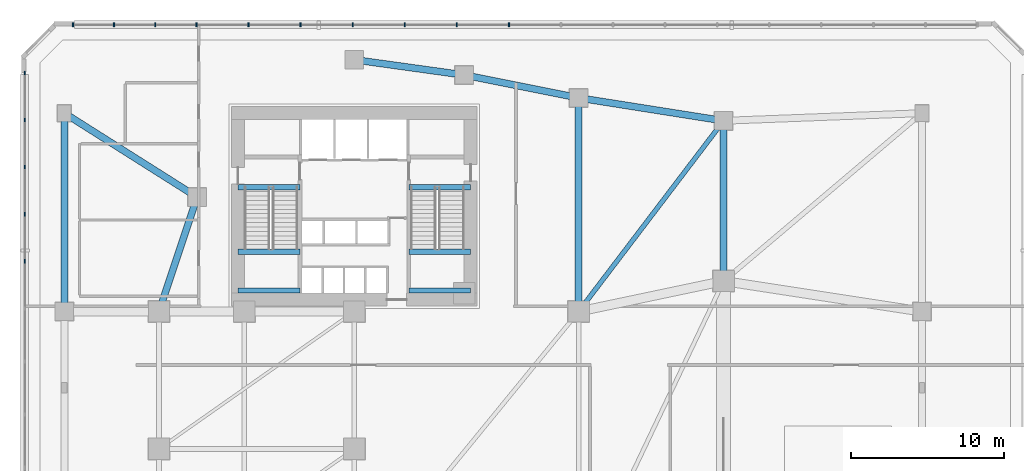
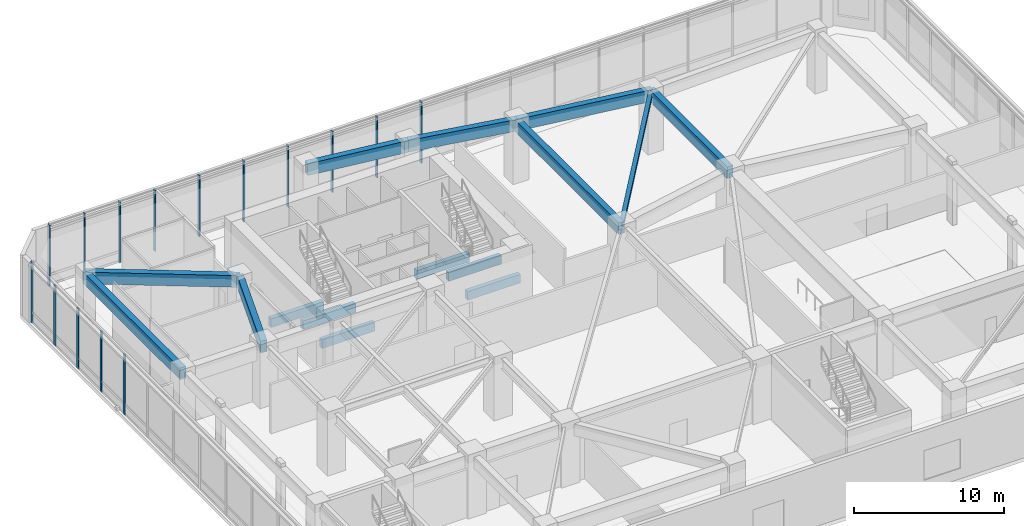
# One storey, part 5 of 18: 15 beams, 15 members, 2 elements without a shape of their own.
"""IFC4 building model written with IfcOpenShell, lengths in metres."""

from ifc_helpers import new_model, si_unit, direction, frame, origin, origin_2d, place, context, subcontext, project, spatial, rectangle, i_section, extrude, source, transform, mapped, material, material_profile, profile_set, type_object, element, aggregate, save


model = new_model("IFC4")

# Units and contexts
model_context = context("Model", 3, precision=1e-05, world=origin(), true_north=direction((0.0, 1.0)))
body_context = subcontext(model_context, "Body", "Model", "MODEL_VIEW")
ifc_project = project(units=[si_unit("LENGTHUNIT", "METRE"), si_unit("AREAUNIT", "SQUARE_METRE"), si_unit("VOLUMEUNIT", "CUBIC_METRE"), si_unit("PLANEANGLEUNIT", "RADIAN"), si_unit("MASSUNIT", "GRAM", prefix="KILO")], contexts=[model_context])

# Site, building, storey
site_placement = place(None, origin())
site = spatial("IfcSite", under=ifc_project, at=site_placement, CompositionType="ELEMENT")
building_placement = place(site_placement, origin())
building = spatial("IfcBuilding", under=site, at=building_placement, Name="Calvemar Wedge Station Tower", CompositionType="ELEMENT")
storey_placement = place(building_placement, frame((0.0, 0.0, 11.199951171875)))
storey = spatial("IfcBuildingStorey", under=building, at=storey_placement, Name="L03", CompositionType="ELEMENT", Elevation=11.199951171875)

# Beams
ifc_material_1 = material(Name="Concrete C70", Category="concrete")
ifc_material_profile_1 = material_profile(ifc_material_1, rectangle(XDim=0.35009765625, YDim=0.699951171875, at=origin_2d()), Name="RC350x700")
ifc_profile_set_1 = profile_set([ifc_material_profile_1], Name="Concrete C70")
beam_type_1 = type_object("IfcBeamType", Name="BM-LN1-700", PredefinedType="LINTEL", material=ifc_profile_set_1)
shared_shape_1 = source(origin(), body_context, "Body", "SweptSolid", [
    extrude(rectangle(XDim=0.35009765625, YDim=0.699951171875, at=origin_2d()), origin(), (0.0, 0.0, 1.0), 4.054931640625),
])
for number, where, z_axis, x_axis, name in (
    (1, (16.175048828125, 41.14990234375, -0.349853515625), (1.0, 0.0, 0.0), (0.0, 1.0, 0.0), "Storey L03 Stair ST-C1 Landing Trimmer Beam"),
    (2, (27.3701171875, 41.14990234375, -0.349853515625), (1.0, 0.0, 0.0), (0.0, 1.0, 0.0), "Storey L03 Stair ST-C2 Landing Trimmer Beam"),
    (3, (16.175048828125, 34.3798828125, 2.050048828125), (1.0, 0.0, 0.0), (0.0, 1.0, 0.0), "Storey L03 Stair ST-C1 Half-Landing Beam 1A"),
    (4, (16.175048828125, 36.909912109375, 2.050048828125), (1.0, 0.0, 0.0), (0.0, 1.0, 0.0), "Storey L03 Stair ST-C1 Half-Landing Beam 1B"),
    (5, (27.3701171875, 34.3798828125, 2.050048828125), (1.0, 0.0, 0.0), (0.0, 1.0, 0.0), "Storey L03 Stair ST-C2 Half-Landing Beam 1A"),
    (6, (27.3701171875, 36.909912109375, 2.050048828125), (1.0, 0.0, 0.0), (0.0, 1.0, 0.0), "Storey L03 Stair ST-C2 Half-Landing Beam 1B"),
):
    element("IfcBeam", number, at=place(storey_placement, frame(where, z_axis=z_axis, x_axis=x_axis)), inside=storey, type_object=beam_type_1, Name=name, PredefinedType="LINTEL", context=body_context, shape_type="MappedRepresentation", body=[
        mapped(shared_shape_1, transform((0.0, 0.0, 0.0), scale=1.0)),
    ])
ifc_material_2 = material(Name="Concrete C50", Category="concrete")
ifc_material_profile_2 = material_profile(ifc_material_2, rectangle(XDim=0.449951171875, YDim=0.949951171875, at=origin_2d()), Name="RC450x950")
ifc_profile_set_2 = profile_set([ifc_material_profile_2], Name="Concrete C50")
beam_type_2 = type_object("IfcBeamType", Name="BM-G2-950", PredefinedType="BEAM", material=ifc_profile_set_2)
shared_shape_2 = source(origin(), body_context, "Body", "SweptSolid", [
    extrude(rectangle(XDim=0.449951171875, YDim=0.949951171875, at=origin_2d()), origin(), (0.0, 0.0, 1.0), 13.0),
])
beam_1_placement = place(storey_placement, frame((4.800048828125, 33.0, 4.425048828125), z_axis=(0.0, 1.0, 0.0), x_axis=(-1.0, 0.0, 0.0)))
element("IfcBeam", 7, at=beam_1_placement, inside=storey, type_object=beam_type_2, Name="Storey L03 Primary Girder G33", PredefinedType="BEAM", context=body_context, shape_type="MappedRepresentation", body=[
    mapped(shared_shape_2, transform((0.0, 0.0, 0.0), scale=1.0)),
])
shared_shape_3 = source(origin(), body_context, "Body", "SweptSolid", [
    extrude(rectangle(XDim=0.449951171875, YDim=0.949951171875, at=origin_2d()), origin(), (0.0, 0.0, 1.0), 7.90576171875),
])
beam_2_placement = place(storey_placement, frame((11.0, 33.0, 4.425048828125), z_axis=(0.316227766017, 0.948683298051, 0.0), x_axis=(-0.948683298051, 0.316227766017, 0.0)))
element("IfcBeam", 8, at=beam_2_placement, inside=storey, type_object=beam_type_2, Name="Storey L03 Primary Girder G34", PredefinedType="BEAM", context=body_context, shape_type="MappedRepresentation", body=[
    mapped(shared_shape_3, transform((0.0, 0.0, 0.0), scale=1.0)),
])
shared_shape_4 = source(origin(), body_context, "Body", "SweptSolid", [
    extrude(rectangle(XDim=0.449951171875, YDim=0.949951171875, at=origin_2d()), origin(), (0.0, 0.0, 1.0), 14.0),
])
beam_3_placement = place(storey_placement, frame((38.5, 33.0, 4.425048828125), z_axis=(0.0, 1.0, 0.0), x_axis=(-1.0, 0.0, 0.0)))
element("IfcBeam", 9, at=beam_3_placement, inside=storey, type_object=beam_type_2, Name="Storey L03 Primary Girder G35", PredefinedType="BEAM", context=body_context, shape_type="MappedRepresentation", body=[
    mapped(shared_shape_4, transform((0.0, 0.0, 0.0), scale=1.0)),
])
shared_shape_5 = source(origin(), body_context, "Body", "SweptSolid", [
    extrude(rectangle(XDim=0.449951171875, YDim=0.949951171875, at=origin_2d()), origin(), (0.0, 0.0, 1.0), 10.5),
])
beam_4_placement = place(storey_placement, frame((48.0, 35.0, 4.425048828125), z_axis=(0.0, 1.0, 0.0), x_axis=(-1.0, 0.0, 0.0)))
element("IfcBeam", 10, at=beam_4_placement, inside=storey, type_object=beam_type_2, Name="Storey L03 Primary Girder G36", PredefinedType="BEAM", context=body_context, shape_type="MappedRepresentation", body=[
    mapped(shared_shape_5, transform((0.0, 0.0, 0.0), scale=1.0)),
])
shared_shape_6 = source(origin(), body_context, "Body", "SweptSolid", [
    extrude(rectangle(XDim=0.449951171875, YDim=0.949951171875, at=origin_2d()), origin(), (0.0, 0.0, 1.0), 10.292724609375),
])
beam_5_placement = place(storey_placement, frame((4.800048828125, 46.0, 4.425048828125), z_axis=(0.845256603473, -0.534360621946, 0.0), x_axis=(0.534360621946, 0.845256603473, 0.0)))
element("IfcBeam", 11, at=beam_5_placement, inside=storey, type_object=beam_type_2, Name="Storey L03 Primary Girder G38", PredefinedType="BEAM", context=body_context, shape_type="MappedRepresentation", body=[
    mapped(shared_shape_6, transform((0.0, 0.0, 0.0), scale=1.0)),
])
shared_shape_7 = source(origin(), body_context, "Body", "SweptSolid", [
    extrude(rectangle(XDim=0.449951171875, YDim=0.949951171875, at=origin_2d()), origin(), (0.0, 0.0, 1.0), 7.26904296875),
])
beam_6_placement = place(storey_placement, frame((23.800048828125, 49.5, 4.425048828125), z_axis=(0.990492146053, -0.13756928657, 0.0), x_axis=(0.13756928657, 0.990492146053, 0.0)))
element("IfcBeam", 12, at=beam_6_placement, inside=storey, type_object=beam_type_2, Name="Storey L03 Primary Girder G39", PredefinedType="BEAM", context=body_context, shape_type="MappedRepresentation", body=[
    mapped(shared_shape_7, transform((0.0, 0.0, 0.0), scale=1.0)),
])
shared_shape_8 = source(origin(), body_context, "Body", "SweptSolid", [
    extrude(rectangle(XDim=0.449951171875, YDim=0.949951171875, at=origin_2d()), origin(), (0.0, 0.0, 1.0), 7.6484375),
])
beam_7_placement = place(storey_placement, frame((31.0, 48.5, 4.425048828125), z_axis=(0.980580675691, -0.196116135138, 0.0), x_axis=(0.196116135138, 0.980580675691, 0.0)))
element("IfcBeam", 13, at=beam_7_placement, inside=storey, type_object=beam_type_2, Name="Storey L03 Primary Girder G40", PredefinedType="BEAM", context=body_context, shape_type="MappedRepresentation", body=[
    mapped(shared_shape_8, transform((0.0, 0.0, 0.0), scale=1.0)),
])
shared_shape_9 = source(origin(), body_context, "Body", "SweptSolid", [
    extrude(rectangle(XDim=0.449951171875, YDim=0.949951171875, at=origin_2d()), origin(), (0.0, 0.0, 1.0), 9.61767578125),
])
beam_8_placement = place(storey_placement, frame((38.5, 47.0, 4.425048828125), z_axis=(0.987762965329, -0.155962573473, 0.0), x_axis=(0.155962573473, 0.987762965329, 0.0)))
element("IfcBeam", 14, at=beam_8_placement, inside=storey, type_object=beam_type_2, Name="Storey L03 Primary Girder G41", PredefinedType="BEAM", context=body_context, shape_type="MappedRepresentation", body=[
    mapped(shared_shape_9, transform((0.0, 0.0, 0.0), scale=1.0)),
])
ifc_material_3 = material(Name="Structural steel ASTM A572 Grade 50", Category="steel")
ifc_material_profile_3 = material_profile(ifc_material_3, i_section(OverallWidth=0.30908203125, OverallDepth=0.322998046875, WebThickness=0.013916015625, FlangeThickness=0.02294921875, FilletRadius=0.014892578125, at=origin_2d()), Name="W310x143")
ifc_profile_set_3 = profile_set([ifc_material_profile_3], Name="Structural steel ASTM A572 Grade 50")
beam_type_3 = type_object("IfcBeamType", Name="BM-J5-W310H", PredefinedType="JOIST", material=ifc_profile_set_3)
shared_shape_10 = source(origin(), body_context, "Body", "SweptSolid", [
    extrude(i_section(OverallWidth=0.30908203125, OverallDepth=0.322998046875, WebThickness=0.013916015625, FlangeThickness=0.02294921875, FilletRadius=0.014892578125, at=origin_2d()), origin(), (0.0, 0.0, 1.0), 15.700439453125),
])
beam_9_placement = place(storey_placement, frame((38.5, 33.0, 4.738525390625), z_axis=(0.605083267534, 0.796162194123, 0.0), x_axis=(-0.796162194123, 0.605083267534, 0.0)))
element("IfcBeam", 15, at=beam_9_placement, inside=storey, type_object=beam_type_3, Name="Storey L03 Concourse Cross Joist 11", PredefinedType="JOIST", context=body_context, shape_type="MappedRepresentation", body=[
    mapped(shared_shape_10, transform((0.0, 0.0, 0.0), scale=1.0)),
])

# Curtain wall, members
ifc_material_4 = material(Name="Anodised aluminium 6063-T6", Category="aluminium")
curtain_wall_type = type_object("IfcCurtainWallType", Name="CW5", PredefinedType="NOTDEFINED", material=ifc_material_4)
curtain_wall_1_placement = place(storey_placement, origin())
curtain_wall_1 = element("IfcCurtainWall", 16, at=curtain_wall_1_placement, inside=storey, type_object=curtain_wall_type, Name="Storey L03 CW5 Recessed Unitised Curtain Wall 4", PredefinedType="NOTDEFINED")
ifc_material_profile_4 = material_profile(ifc_material_4, rectangle(XDim=0.0849609375, YDim=0.239990234375, at=origin_2d()), Name="AL-MUL-85x240")
ifc_profile_set_4 = profile_set([ifc_material_profile_4], Name="Anodised aluminium 6063-T6")
member_type = type_object("IfcMemberType", Name="CW5-MUL", PredefinedType="MULLION", material=ifc_profile_set_4)
shared_shape_11 = source(origin(), body_context, "Body", "SweptSolid", [
    extrude(rectangle(XDim=0.0849609375, YDim=0.239990234375, at=origin_2d()), origin(), (0.0, 0.0, 1.0), 4.9501953125),
])
member_1_placement = place(storey_placement, frame((33.93115234375, 51.7900390625, -0.050048828125), z_axis=(0.0, 0.0, 1.0), x_axis=(1.0, 0.0, 0.0)))
member_1 = element("IfcMember", 17, at=member_1_placement, type_object=member_type, Name="CW5 mullion 10", PredefinedType="MULLION", context=body_context, shape_type="MappedRepresentation", body=[
    mapped(shared_shape_11, transform((0.0, 0.0, 0.0), scale=1.0)),
])
member_2_placement = place(storey_placement, frame((30.519287109375, 51.7900390625, -0.050048828125), z_axis=(0.0, 0.0, 1.0), x_axis=(1.0, 0.0, 0.0)))
member_2 = element("IfcMember", 18, at=member_2_placement, type_object=member_type, Name="CW5 mullion 11", PredefinedType="MULLION", context=body_context, shape_type="MappedRepresentation", body=[
    mapped(shared_shape_11, transform((0.0, 0.0, 0.0), scale=1.0)),
])
member_3_placement = place(storey_placement, frame((27.107421875, 51.7900390625, -0.050048828125), z_axis=(0.0, 0.0, 1.0), x_axis=(1.0, 0.0, 0.0)))
member_3 = element("IfcMember", 19, at=member_3_placement, type_object=member_type, Name="CW5 mullion 12", PredefinedType="MULLION", context=body_context, shape_type="MappedRepresentation", body=[
    mapped(shared_shape_11, transform((0.0, 0.0, 0.0), scale=1.0)),
])
member_4_placement = place(storey_placement, frame((23.695556640625, 51.7900390625, -0.050048828125), z_axis=(0.0, 0.0, 1.0), x_axis=(1.0, 0.0, 0.0)))
member_4 = element("IfcMember", 20, at=member_4_placement, type_object=member_type, Name="CW5 mullion 13", PredefinedType="MULLION", context=body_context, shape_type="MappedRepresentation", body=[
    mapped(shared_shape_11, transform((0.0, 0.0, 0.0), scale=1.0)),
])
member_5_placement = place(storey_placement, frame((20.28369140625, 51.7900390625, -0.050048828125), z_axis=(0.0, 0.0, 1.0), x_axis=(1.0, 0.0, 0.0)))
member_5 = element("IfcMember", 21, at=member_5_placement, type_object=member_type, Name="CW5 mullion 14", PredefinedType="MULLION", context=body_context, shape_type="MappedRepresentation", body=[
    mapped(shared_shape_11, transform((0.0, 0.0, 0.0), scale=1.0)),
])
member_6_placement = place(storey_placement, frame((16.871826171875, 51.7900390625, -0.050048828125), z_axis=(0.0, 0.0, 1.0), x_axis=(1.0, 0.0, 0.0)))
member_6 = element("IfcMember", 22, at=member_6_placement, type_object=member_type, Name="CW5 mullion 15", PredefinedType="MULLION", context=body_context, shape_type="MappedRepresentation", body=[
    mapped(shared_shape_11, transform((0.0, 0.0, 0.0), scale=1.0)),
])
member_7_placement = place(storey_placement, frame((13.4599609375, 51.7900390625, -0.050048828125), z_axis=(0.0, 0.0, 1.0), x_axis=(1.0, 0.0, 0.0)))
member_7 = element("IfcMember", 23, at=member_7_placement, type_object=member_type, Name="CW5 mullion 16", PredefinedType="MULLION", context=body_context, shape_type="MappedRepresentation", body=[
    mapped(shared_shape_11, transform((0.0, 0.0, 0.0), scale=1.0)),
])
member_8_placement = place(storey_placement, frame((10.7607421875, 51.7900390625, -0.050048828125), z_axis=(0.0, 0.0, 1.0), x_axis=(1.0, 0.0, 0.0)))
member_8 = element("IfcMember", 24, at=member_8_placement, type_object=member_type, Name="CW5 mullion 17", PredefinedType="MULLION", context=body_context, shape_type="MappedRepresentation", body=[
    mapped(shared_shape_11, transform((0.0, 0.0, 0.0), scale=1.0)),
])
member_9_placement = place(storey_placement, frame((8.061279296875, 51.7900390625, -0.050048828125), z_axis=(0.0, 0.0, 1.0), x_axis=(1.0, 0.0, 0.0)))
member_9 = element("IfcMember", 25, at=member_9_placement, type_object=member_type, Name="CW5 mullion 18", PredefinedType="MULLION", context=body_context, shape_type="MappedRepresentation", body=[
    mapped(shared_shape_11, transform((0.0, 0.0, 0.0), scale=1.0)),
])
member_10_placement = place(storey_placement, frame((5.362060546875, 51.7900390625, -0.050048828125), z_axis=(0.0, 0.0, 1.0), x_axis=(1.0, 0.0, 0.0)))
member_10 = element("IfcMember", 26, at=member_10_placement, type_object=member_type, Name="CW5 mullion 19", PredefinedType="MULLION", context=body_context, shape_type="MappedRepresentation", body=[
    mapped(shared_shape_11, transform((0.0, 0.0, 0.0), scale=1.0)),
])
aggregate(curtain_wall_1, [member_1, member_2, member_3, member_4, member_5, member_6, member_7, member_8, member_9, member_10])

curtain_wall_2_placement = place(storey_placement, origin())
curtain_wall_2 = element("IfcCurtainWall", 27, at=curtain_wall_2_placement, inside=storey, type_object=curtain_wall_type, Name="Storey L03 CW5 Recessed Unitised Curtain Wall 6", PredefinedType="NOTDEFINED")
member_11_placement = place(storey_placement, frame((2.2099609375, 48.637939453125, -0.050048828125), z_axis=(0.0, 0.0, 1.0), x_axis=(1.0, 0.0, 0.0)))
member_11 = element("IfcMember", 28, at=member_11_placement, type_object=member_type, Name="CW5 mullion 1", PredefinedType="MULLION", context=body_context, shape_type="MappedRepresentation", body=[
    mapped(shared_shape_11, transform((0.0, 0.0, 0.0), scale=1.0)),
])
member_12_placement = place(storey_placement, frame((2.2099609375, 45.55224609375, -0.050048828125), z_axis=(0.0, 0.0, 1.0), x_axis=(1.0, 0.0, 0.0)))
member_12 = element("IfcMember", 29, at=member_12_placement, type_object=member_type, Name="CW5 mullion 2", PredefinedType="MULLION", context=body_context, shape_type="MappedRepresentation", body=[
    mapped(shared_shape_11, transform((0.0, 0.0, 0.0), scale=1.0)),
])
member_13_placement = place(storey_placement, frame((2.2099609375, 42.466796875, -0.050048828125), z_axis=(0.0, 0.0, 1.0), x_axis=(1.0, 0.0, 0.0)))
member_13 = element("IfcMember", 30, at=member_13_placement, type_object=member_type, Name="CW5 mullion 3", PredefinedType="MULLION", context=body_context, shape_type="MappedRepresentation", body=[
    mapped(shared_shape_11, transform((0.0, 0.0, 0.0), scale=1.0)),
])
member_14_placement = place(storey_placement, frame((2.2099609375, 39.381103515625, -0.050048828125), z_axis=(0.0, 0.0, 1.0), x_axis=(1.0, 0.0, 0.0)))
member_14 = element("IfcMember", 31, at=member_14_placement, type_object=member_type, Name="CW5 mullion 4", PredefinedType="MULLION", context=body_context, shape_type="MappedRepresentation", body=[
    mapped(shared_shape_11, transform((0.0, 0.0, 0.0), scale=1.0)),
])
member_15_placement = place(storey_placement, frame((2.2099609375, 36.295654296875, -0.050048828125), z_axis=(0.0, 0.0, 1.0), x_axis=(1.0, 0.0, 0.0)))
member_15 = element("IfcMember", 32, at=member_15_placement, type_object=member_type, Name="CW5 mullion 5", PredefinedType="MULLION", context=body_context, shape_type="MappedRepresentation", body=[
    mapped(shared_shape_11, transform((0.0, 0.0, 0.0), scale=1.0)),
])
aggregate(curtain_wall_2, [member_11, member_12, member_13, member_14, member_15])

save(model, "model.ifc")
